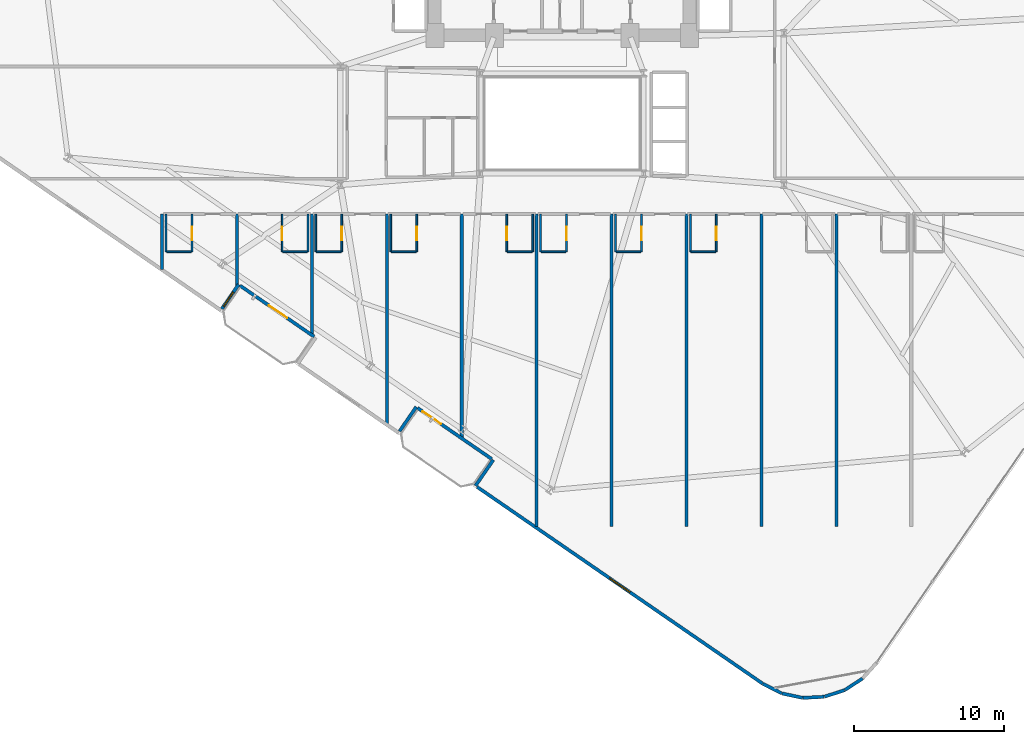
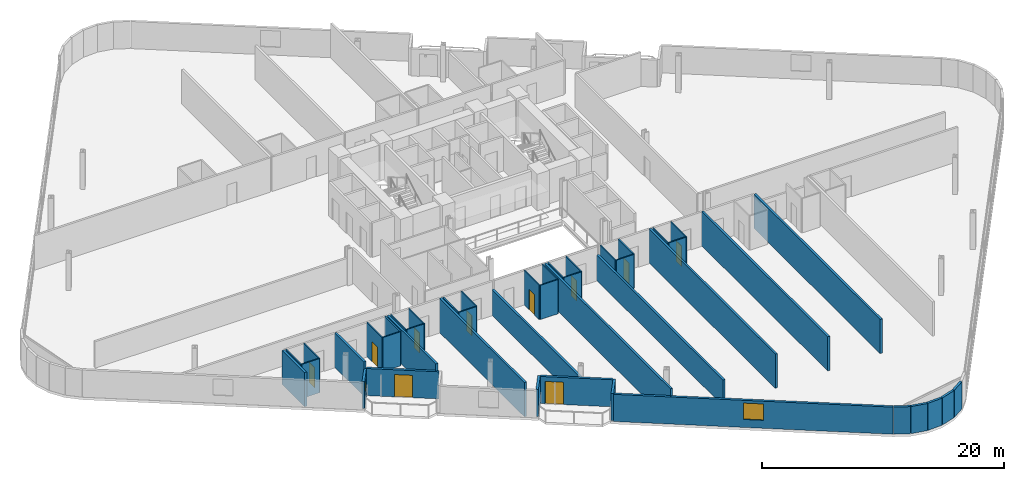
# One storey, part 19 of 27: 45 walls, 10 doors, 2 windows, 12 openings.
"""IFC4 building model written with IfcOpenShell, lengths in metres."""

from ifc_helpers import new_model, si_unit, direction, frame, frame_2d, origin, place, context, subcontext, project, spatial, rectangle, extrude, material, layer, layer_set, type_object, element, fill, save


model = new_model("IFC4")

# Units and contexts
model_context = context("Model", 3, precision=1e-05, world=origin(), true_north=direction((0.0, 1.0)))
body_context = subcontext(model_context, "Body", "Model", "MODEL_VIEW")
ifc_project = project(units=[si_unit("LENGTHUNIT", "METRE"), si_unit("AREAUNIT", "SQUARE_METRE"), si_unit("VOLUMEUNIT", "CUBIC_METRE"), si_unit("PLANEANGLEUNIT", "RADIAN"), si_unit("MASSUNIT", "GRAM", prefix="KILO")], contexts=[model_context])

# Site, building, storey
site_placement = place(None, origin())
site = spatial("IfcSite", under=ifc_project, at=site_placement, CompositionType="ELEMENT")
building_placement = place(site_placement, origin())
building = spatial("IfcBuilding", under=site, at=building_placement, Name="Varnelok Gate Tower", CompositionType="ELEMENT")
storey_placement = place(building_placement, frame((0.0, 0.0, 30.699951171875)))
storey = spatial("IfcBuildingStorey", under=building, at=storey_placement, Name="L06", CompositionType="ELEMENT", Elevation=30.699951171875)

# Wall, opening, door
ifc_material_1 = material(Name="Concrete C45/55", Category="concrete")
ifc_layer_1 = layer(ifc_material_1, 0.219970703125)
ifc_layer_set_1 = layer_set([ifc_layer_1], Name="Concrete C45/55")
wall_type_1 = type_object("IfcWallType", Name="EW-BALC-220", PredefinedType="SOLIDWALL", material=ifc_layer_set_1)
wall_1_placement = place(storey_placement, frame((22.642822265625, 8.667236328125, 0.0), z_axis=(0.0, 0.0, 1.0), x_axis=(-0.823534636215, 0.567265989598, 0.0)))
wall_1 = element("IfcWall", 1, at=wall_1_placement, inside=storey, type_object=wall_type_1, Name="L06 South Terrace Envelope Wall 1", PredefinedType="SOLIDWALL", context=body_context, shape_type="SweptSolid", body=[
    extrude(rectangle(XDim=6.0, YDim=0.219970703125, at=frame_2d((3.0, 0.0))), origin(), (0.0, 0.0, 1.0), 2.72998046875),
])
opening_1_placement = place(wall_1_placement, frame((2.176025390625, 0.0, 0.0)))
opening_1 = element("IfcOpeningElement", 2, at=opening_1_placement, cuts=wall_1, Name="Opening BD-1", PredefinedType="OPENING", context=body_context, shape_type="SweptSolid", body=[
    extrude(rectangle(XDim=1.5, YDim=2.25, at=frame_2d((0.75, 1.125))), frame((0.0, 0.119873046875, 0.0), z_axis=(0.0, -1.0, 0.0), x_axis=(1.0, 0.0, 0.0)), (0.0, 0.0, 1.0), 0.239990234375),
])
ifc_material_2 = material(Name="Anodized Aluminum Alloy 6063-T6", Category="aluminium")
door_type_1 = type_object("IfcDoorType", Name="DR-EXT-BALC1500", OperationType="NOTDEFINED", PredefinedType="DOOR", material=ifc_material_2)
door_1_placement = place(opening_1_placement, origin())
door_1 = element("IfcDoor", 3, at=door_1_placement, inside=storey, type_object=door_type_1, Name="L06 South Balcony Glazed Door 1", OperationType="SINGLE_SWING_RIGHT", OverallHeight=2.25, OverallWidth=1.5, PredefinedType="DOOR", context=body_context, shape_type="SweptSolid", body=[
    extrude(rectangle(XDim=1.5, YDim=2.25, at=frame_2d((0.75, 1.125))), frame((0.0, 0.02490234375, 0.0), z_axis=(0.0, -1.0, 0.0), x_axis=(1.0, 0.0, 0.0)), (0.0, 0.0, 1.0), 0.050048828125),
])
fill(opening_1, door_1)

wall_2_placement = place(storey_placement, frame((34.501708984375, 0.49853515625, 0.0), z_axis=(0.0, 0.0, 1.0), x_axis=(-0.823534636215, 0.567265989598, 0.0)))
wall_2 = element("IfcWall", 4, at=wall_2_placement, inside=storey, type_object=wall_type_1, Name="L06 South Terrace Envelope Wall 2", PredefinedType="SOLIDWALL", context=body_context, shape_type="SweptSolid", body=[
    extrude(rectangle(XDim=6.0, YDim=0.219970703125, at=frame_2d((3.0, 0.0))), origin(), (0.0, 0.0, 1.0), 2.72998046875),
])
opening_2_placement = place(wall_2_placement, frame((4.10009765625, 0.0, 0.0)))
opening_2 = element("IfcOpeningElement", 5, at=opening_2_placement, cuts=wall_2, Name="Opening BD-1", PredefinedType="OPENING", context=body_context, shape_type="SweptSolid", body=[
    extrude(rectangle(XDim=1.5, YDim=2.25, at=frame_2d((0.75, 1.125))), frame((0.0, 0.119873046875, 0.0), z_axis=(0.0, -1.0, 0.0), x_axis=(1.0, 0.0, 0.0)), (0.0, 0.0, 1.0), 0.239990234375),
])
door_2_placement = place(opening_2_placement, origin())
door_2 = element("IfcDoor", 6, at=door_2_placement, inside=storey, type_object=door_type_1, Name="L06 South Balcony Glazed Door 2", OperationType="SINGLE_SWING_LEFT", OverallHeight=2.25, OverallWidth=1.5, PredefinedType="DOOR", context=body_context, shape_type="SweptSolid", body=[
    extrude(rectangle(XDim=1.5, YDim=2.25, at=frame_2d((0.75, 1.125))), frame((0.0, 0.02490234375, 0.0), z_axis=(0.0, -1.0, 0.0), x_axis=(1.0, 0.0, 0.0)), (0.0, 0.0, 1.0), 0.050048828125),
])
fill(opening_2, door_2)

# Wall, opening, window
wall_3_placement = place(storey_placement, frame((16.48828125, 10.5205078125, 0.0), z_axis=(0.0, 0.0, 1.0), x_axis=(0.567131976434, 0.823626930902, 0.0)))
wall_3 = element("IfcWall", 7, at=wall_3_placement, inside=storey, type_object=wall_type_1, Name="L06 Perimeter Facade Closure Wall 8", PredefinedType="SOLIDWALL", context=body_context, shape_type="SweptSolid", body=[
    extrude(rectangle(XDim=1.97509765625, YDim=0.219970703125, at=frame_2d((0.987548828125, 0.0))), origin(), (0.0, 0.0, 1.0), 2.72998046875),
])
opening_3_placement = place(wall_3_placement, frame((0.199951171875, 0.0, 0.800048828125)))
opening_3 = element("IfcOpeningElement", 8, at=opening_3_placement, cuts=wall_3, Name="Opening WN8", PredefinedType="OPENING", context=body_context, shape_type="SweptSolid", body=[
    extrude(rectangle(XDim=1.14990234375, YDim=1.39990234375, at=frame_2d((0.574951171875, 0.699951171875))), frame((0.0, 0.119873046875, 0.0), z_axis=(0.0, -1.0, 0.0), x_axis=(1.0, 0.0, 0.0)), (0.0, 0.0, 1.0), 0.239990234375),
])
ifc_material_3 = material(Name="Low-E Laminated Double Glazing IGU", Category="glass")
window_type_1 = type_object("IfcWindowType", Name="WN-BED-1150", PartitioningType="SINGLE_PANEL", PredefinedType="WINDOW", material=ifc_material_3)
window_1_placement = place(opening_3_placement, origin())
window_1 = element("IfcWindow", 9, at=window_1_placement, inside=storey, type_object=window_type_1, Name="L06 Bedroom Vision Window 3", OverallHeight=1.39990234375, OverallWidth=1.14990234375, PartitioningType="SINGLE_PANEL", PredefinedType="WINDOW", context=body_context, shape_type="SweptSolid", body=[
    extrude(rectangle(XDim=1.14990234375, YDim=1.39990234375, at=frame_2d((0.574951171875, 0.699951171875))), frame((0.0, 0.030029296875, 0.0), z_axis=(0.0, -1.0, 0.0), x_axis=(1.0, 0.0, 0.0)), (0.0, 0.0, 1.0), 0.06005859375),
])
fill(opening_3, window_1)

# Walls
wall_4_placement = place(storey_placement, frame((28.34716796875, 2.351806640625, 0.0), z_axis=(0.0, 0.0, 1.0), x_axis=(0.567215821234, 0.823569190865, 0.0)))
element("IfcWall", 10, at=wall_4_placement, inside=storey, type_object=wall_type_1, Name="L06 Perimeter Facade Closure Wall 11", PredefinedType="SOLIDWALL", context=body_context, shape_type="SweptSolid", body=[
    extrude(rectangle(XDim=1.97509765625, YDim=0.219970703125, at=frame_2d((0.987548828125, 0.0))), origin(), (0.0, 0.0, 1.0), 2.72998046875),
])
wall_5_placement = place(storey_placement, frame((34.606201171875, 0.438720703125, 0.0), z_axis=(0.0, 0.0, 1.0), x_axis=(-0.567219383419, -0.823566737474, 0.0)))
element("IfcWall", 11, at=wall_5_placement, inside=storey, type_object=wall_type_1, Name="L06 Perimeter Facade Closure Wall 12", PredefinedType="SOLIDWALL", context=body_context, shape_type="SweptSolid", body=[
    extrude(rectangle(XDim=2.10009765625, YDim=0.219970703125, at=frame_2d((1.050048828125, 0.0))), origin(), (0.0, 0.0, 1.0), 2.72998046875),
])

# Wall, opening, window
wall_6_placement = place(storey_placement, frame((33.517822265625, -1.36181640625, 0.0), z_axis=(0.0, 0.0, 1.0), x_axis=(0.82353935489, -0.567259139148, 0.0)))
wall_6 = element("IfcWall", 12, at=wall_6_placement, inside=storey, type_object=wall_type_1, Name="L06 Perimeter Facade Closure Wall 13", PredefinedType="SOLIDWALL", context=body_context, shape_type="SweptSolid", body=[
    extrude(rectangle(XDim=23.14697265625, YDim=0.219970703125, at=frame_2d((11.573486328125, 0.0))), origin(), (0.0, 0.0, 1.0), 2.72998046875),
])
opening_4_placement = place(wall_6_placement, frame((10.74853515625, 0.0, 0.800048828125)))
opening_4 = element("IfcOpeningElement", 13, at=opening_4_placement, cuts=wall_6, Name="Opening WN3", PredefinedType="OPENING", context=body_context, shape_type="SweptSolid", body=[
    extrude(rectangle(XDim=1.64990234375, YDim=1.64990234375, at=frame_2d((0.824951171875, 0.824951171875))), frame((0.0, 0.119873046875, 0.0), z_axis=(0.0, -1.0, 0.0), x_axis=(1.0, 0.0, 0.0)), (0.0, 0.0, 1.0), 0.239990234375),
])
window_type_2 = type_object("IfcWindowType", Name="WN-HTL-1650", PartitioningType="SINGLE_PANEL", PredefinedType="WINDOW", material=ifc_material_3)
window_2_placement = place(opening_4_placement, origin())
window_2 = element("IfcWindow", 14, at=window_2_placement, inside=storey, type_object=window_type_2, Name="L06 Perimeter Vision Window 13", OverallHeight=1.64990234375, OverallWidth=1.64990234375, PartitioningType="SINGLE_PANEL", PredefinedType="WINDOW", context=body_context, shape_type="SweptSolid", body=[
    extrude(rectangle(XDim=1.64990234375, YDim=1.64990234375, at=frame_2d((0.824951171875, 0.824951171875))), frame((0.0, 0.030029296875, 0.0), z_axis=(0.0, -1.0, 0.0), x_axis=(1.0, 0.0, 0.0)), (0.0, 0.0, 1.0), 0.06005859375),
])
fill(opening_4, window_2)

# Walls
wall_7_placement = place(storey_placement, frame((52.602783203125, -14.503662109375, 0.0), z_axis=(0.0, 0.0, 1.0), x_axis=(0.89052335693, -0.45493752402, 0.0)))
element("IfcWall", 15, at=wall_7_placement, inside=storey, type_object=wall_type_1, Name="L06 Perimeter Facade Closure Wall 14", PredefinedType="SOLIDWALL", context=body_context, shape_type="SweptSolid", body=[
    extrude(rectangle(XDim=1.4130859375, YDim=0.219970703125, at=frame_2d((0.70654296875, 0.0))), origin(), (0.0, 0.0, 1.0), 2.72998046875),
])
for number, where, z_axis, x_axis, name in (
    (16, (53.8857421875, -15.15185546875, 0.0), (0.0, 0.0, 1.0), (0.977952168511, -0.208829011645, 0.0), "L06 Perimeter Facade Closure Wall 15"),
    (17, (55.284912109375, -15.444091796875, 0.0), (0.0, 0.0, 1.0), (0.998685611917, 0.051254741739, 0.0), "L06 Perimeter Facade Closure Wall 16"),
    (18, (56.712158203125, -15.364501953125, 0.0), (0.0, 0.0, 1.0), (0.95132472924, 0.308190297603, 0.0), "L06 Perimeter Facade Closure Wall 17"),
    (19, (58.070068359375, -14.91796875, 0.0), (0.0, 0.0, 1.0), (0.839248413468, 0.543748195851, 0.0), "L06 Perimeter Facade Closure Wall 18"),
):
    element("IfcWall", number, at=place(storey_placement, frame(where, z_axis=z_axis, x_axis=x_axis)), inside=storey, type_object=wall_type_1, Name=name, PredefinedType="SOLIDWALL", context=body_context, shape_type="SweptSolid", body=[
        extrude(rectangle(XDim=1.4052734375, YDim=0.219970703125, at=frame_2d((0.70263671875, 0.0))), origin(), (0.0, 0.0, 1.0), 2.72998046875),
    ])
ifc_material_4 = material(Name="Gypsum Plasterboard Acoustic Partition", Category="gypsum")
ifc_layer_2 = layer(ifc_material_4, 0.114990234375)
ifc_layer_set_2 = layer_set([ifc_layer_2], Name="Gypsum Plasterboard Acoustic Partition")
wall_type_2 = type_object("IfcWallType", Name="PW-ENS-125", PredefinedType="PARTITIONING", material=ifc_layer_set_2)
wall_8_placement = place(storey_placement, frame((12.800048828125, 14.330078125, 0.0), z_axis=(0.0, 0.0, 1.0), x_axis=(1.0, 0.0, 0.0)))
element("IfcWall", 20, at=wall_8_placement, inside=storey, type_object=wall_type_2, Name="Interior Partition", PredefinedType="PARTITIONING", context=body_context, shape_type="SweptSolid", body=[
    extrude(rectangle(XDim=1.64990234375, YDim=0.114990234375, at=frame_2d((0.824951171875, 0.0))), origin(), (0.0, 0.0, 1.0), 3.449951171875),
])

# Wall, opening, door
wall_9_placement = place(storey_placement, frame((14.489990234375, 14.330078125, 0.0), z_axis=(0.0, 0.0, 1.0), x_axis=(0.0, 1.0, 0.0)))
wall_9 = element("IfcWall", 21, at=wall_9_placement, inside=storey, type_object=wall_type_2, Name="Interior Partition", PredefinedType="PARTITIONING", context=body_context, shape_type="SweptSolid", body=[
    extrude(rectangle(XDim=2.52001953125, YDim=0.114990234375, at=frame_2d((1.260009765625, 0.0))), origin(), (0.0, 0.0, 1.0), 3.449951171875),
])
opening_5_placement = place(wall_9_placement, frame((0.760009765625, 0.0, 0.0)))
opening_5 = element("IfcOpeningElement", 22, at=opening_5_placement, cuts=wall_9, Name="Opening D-WC", PredefinedType="OPENING", context=body_context, shape_type="SweptSolid", body=[
    extrude(rectangle(XDim=0.89990234375, YDim=2.050048828125, at=frame_2d((0.449951171875, 1.02490234375))), frame((0.0, 0.0673828125, 0.0), z_axis=(0.0, -1.0, 0.0), x_axis=(1.0, 0.0, 0.0)), (0.0, 0.0, 1.0), 0.135009765625),
])
ifc_material_5 = material(Name="Engineered Hardwood Timber", Category="wood")
door_type_2 = type_object("IfcDoorType", Name="DR-BATH-900", OperationType="NOTDEFINED", PredefinedType="DOOR", material=ifc_material_5)
door_3_placement = place(opening_5_placement, origin())
door_3 = element("IfcDoor", 23, at=door_3_placement, inside=storey, type_object=door_type_2, Name="L06 Guest En-Suite 02 Door", OperationType="SINGLE_SWING_LEFT", OverallHeight=2.050048828125, OverallWidth=0.89990234375, PredefinedType="DOOR", context=body_context, shape_type="SweptSolid", body=[
    extrude(rectangle(XDim=0.89990234375, YDim=2.050048828125, at=frame_2d((0.449951171875, 1.02490234375))), frame((0.0, 0.02490234375, 0.0), z_axis=(0.0, -1.0, 0.0), x_axis=(1.0, 0.0, 0.0)), (0.0, 0.0, 1.0), 0.050048828125),
])
fill(opening_5, door_3)

# Walls
wall_10_placement = place(storey_placement, frame((12.760009765625, 14.330078125, 0.0), z_axis=(0.0, 0.0, 1.0), x_axis=(0.0, 1.0, 0.0)))
element("IfcWall", 24, at=wall_10_placement, inside=storey, type_object=wall_type_2, Name="Interior Partition", PredefinedType="PARTITIONING", context=body_context, shape_type="SweptSolid", body=[
    extrude(rectangle(XDim=2.52001953125, YDim=0.114990234375, at=frame_2d((1.260009765625, 0.0))), origin(), (0.0, 0.0, 1.0), 3.449951171875),
])
wall_11_placement = place(storey_placement, frame((20.550048828125, 14.330078125, 0.0), z_axis=(0.0, 0.0, 1.0), x_axis=(1.0, 0.0, 0.0)))
element("IfcWall", 25, at=wall_11_placement, inside=storey, type_object=wall_type_2, Name="Interior Partition", PredefinedType="PARTITIONING", context=body_context, shape_type="SweptSolid", body=[
    extrude(rectangle(XDim=1.64990234375, YDim=0.114990234375, at=frame_2d((0.824951171875, 0.0))), origin(), (0.0, 0.0, 1.0), 3.449951171875),
])

# Wall, opening, door
wall_12_placement = place(storey_placement, frame((20.510009765625, 14.330078125, 0.0), z_axis=(0.0, 0.0, 1.0), x_axis=(0.0, 1.0, 0.0)))
wall_12 = element("IfcWall", 26, at=wall_12_placement, inside=storey, type_object=wall_type_2, Name="Interior Partition", PredefinedType="PARTITIONING", context=body_context, shape_type="SweptSolid", body=[
    extrude(rectangle(XDim=2.52001953125, YDim=0.114990234375, at=frame_2d((1.260009765625, 0.0))), origin(), (0.0, 0.0, 1.0), 3.449951171875),
])
opening_6_placement = place(wall_12_placement, frame((0.760009765625, 0.0, 0.0)))
opening_6 = element("IfcOpeningElement", 27, at=opening_6_placement, cuts=wall_12, Name="Opening D-WC", PredefinedType="OPENING", context=body_context, shape_type="SweptSolid", body=[
    extrude(rectangle(XDim=0.89990234375, YDim=2.050048828125, at=frame_2d((0.449951171875, 1.02490234375))), frame((0.0, 0.0673828125, 0.0), z_axis=(0.0, -1.0, 0.0), x_axis=(1.0, 0.0, 0.0)), (0.0, 0.0, 1.0), 0.135009765625),
])
door_4_placement = place(opening_6_placement, origin())
door_4 = element("IfcDoor", 28, at=door_4_placement, inside=storey, type_object=door_type_2, Name="L06 Guest En-Suite 03 Door", OperationType="SINGLE_SWING_RIGHT", OverallHeight=2.050048828125, OverallWidth=0.89990234375, PredefinedType="DOOR", context=body_context, shape_type="SweptSolid", body=[
    extrude(rectangle(XDim=0.89990234375, YDim=2.050048828125, at=frame_2d((0.449951171875, 1.02490234375))), frame((0.0, 0.02490234375, 0.0), z_axis=(0.0, -1.0, 0.0), x_axis=(1.0, 0.0, 0.0)), (0.0, 0.0, 1.0), 0.050048828125),
])
fill(opening_6, door_4)

# Walls
wall_13_placement = place(storey_placement, frame((22.239990234375, 14.330078125, 0.0), z_axis=(0.0, 0.0, 1.0), x_axis=(0.0, 1.0, 0.0)))
element("IfcWall", 29, at=wall_13_placement, inside=storey, type_object=wall_type_2, Name="Interior Partition", PredefinedType="PARTITIONING", context=body_context, shape_type="SweptSolid", body=[
    extrude(rectangle(XDim=2.52001953125, YDim=0.114990234375, at=frame_2d((1.260009765625, 0.0))), origin(), (0.0, 0.0, 1.0), 3.449951171875),
])
wall_14_placement = place(storey_placement, frame((22.800048828125, 14.330078125, 0.0), z_axis=(0.0, 0.0, 1.0), x_axis=(1.0, 0.0, 0.0)))
element("IfcWall", 30, at=wall_14_placement, inside=storey, type_object=wall_type_2, Name="Interior Partition", PredefinedType="PARTITIONING", context=body_context, shape_type="SweptSolid", body=[
    extrude(rectangle(XDim=1.64990234375, YDim=0.114990234375, at=frame_2d((0.824951171875, 0.0))), origin(), (0.0, 0.0, 1.0), 3.449951171875),
])

# Wall, opening, door
wall_15_placement = place(storey_placement, frame((24.489990234375, 14.330078125, 0.0), z_axis=(0.0, 0.0, 1.0), x_axis=(0.0, 1.0, 0.0)))
wall_15 = element("IfcWall", 31, at=wall_15_placement, inside=storey, type_object=wall_type_2, Name="Interior Partition", PredefinedType="PARTITIONING", context=body_context, shape_type="SweptSolid", body=[
    extrude(rectangle(XDim=2.52001953125, YDim=0.114990234375, at=frame_2d((1.260009765625, 0.0))), origin(), (0.0, 0.0, 1.0), 3.449951171875),
])
opening_7_placement = place(wall_15_placement, frame((0.760009765625, 0.0, 0.0)))
opening_7 = element("IfcOpeningElement", 32, at=opening_7_placement, cuts=wall_15, Name="Opening D-WC", PredefinedType="OPENING", context=body_context, shape_type="SweptSolid", body=[
    extrude(rectangle(XDim=0.89990234375, YDim=2.050048828125, at=frame_2d((0.449951171875, 1.02490234375))), frame((0.0, 0.0673828125, 0.0), z_axis=(0.0, -1.0, 0.0), x_axis=(1.0, 0.0, 0.0)), (0.0, 0.0, 1.0), 0.135009765625),
])
door_5_placement = place(opening_7_placement, origin())
door_5 = element("IfcDoor", 33, at=door_5_placement, inside=storey, type_object=door_type_2, Name="L06 Guest En-Suite 04 Door", OperationType="SINGLE_SWING_LEFT", OverallHeight=2.050048828125, OverallWidth=0.89990234375, PredefinedType="DOOR", context=body_context, shape_type="SweptSolid", body=[
    extrude(rectangle(XDim=0.89990234375, YDim=2.050048828125, at=frame_2d((0.449951171875, 1.02490234375))), frame((0.0, 0.02490234375, 0.0), z_axis=(0.0, -1.0, 0.0), x_axis=(1.0, 0.0, 0.0)), (0.0, 0.0, 1.0), 0.050048828125),
])
fill(opening_7, door_5)

# Walls
wall_16_placement = place(storey_placement, frame((22.760009765625, 14.330078125, 0.0), z_axis=(0.0, 0.0, 1.0), x_axis=(0.0, 1.0, 0.0)))
element("IfcWall", 34, at=wall_16_placement, inside=storey, type_object=wall_type_2, Name="Interior Partition", PredefinedType="PARTITIONING", context=body_context, shape_type="SweptSolid", body=[
    extrude(rectangle(XDim=2.52001953125, YDim=0.114990234375, at=frame_2d((1.260009765625, 0.0))), origin(), (0.0, 0.0, 1.0), 3.449951171875),
])
wall_17_placement = place(storey_placement, frame((27.800048828125, 14.330078125, 0.0), z_axis=(0.0, 0.0, 1.0), x_axis=(1.0, 0.0, 0.0)))
element("IfcWall", 35, at=wall_17_placement, inside=storey, type_object=wall_type_2, Name="Interior Partition", PredefinedType="PARTITIONING", context=body_context, shape_type="SweptSolid", body=[
    extrude(rectangle(XDim=1.64990234375, YDim=0.114990234375, at=frame_2d((0.824951171875, 0.0))), origin(), (0.0, 0.0, 1.0), 3.449951171875),
])

# Wall, opening, door
wall_18_placement = place(storey_placement, frame((29.489990234375, 14.330078125, 0.0), z_axis=(0.0, 0.0, 1.0), x_axis=(0.0, 1.0, 0.0)))
wall_18 = element("IfcWall", 36, at=wall_18_placement, inside=storey, type_object=wall_type_2, Name="Interior Partition", PredefinedType="PARTITIONING", context=body_context, shape_type="SweptSolid", body=[
    extrude(rectangle(XDim=2.52001953125, YDim=0.114990234375, at=frame_2d((1.260009765625, 0.0))), origin(), (0.0, 0.0, 1.0), 3.449951171875),
])
opening_8_placement = place(wall_18_placement, frame((0.760009765625, 0.0, 0.0)))
opening_8 = element("IfcOpeningElement", 37, at=opening_8_placement, cuts=wall_18, Name="Opening D-WC", PredefinedType="OPENING", context=body_context, shape_type="SweptSolid", body=[
    extrude(rectangle(XDim=0.89990234375, YDim=2.050048828125, at=frame_2d((0.449951171875, 1.02490234375))), frame((0.0, 0.0673828125, 0.0), z_axis=(0.0, -1.0, 0.0), x_axis=(1.0, 0.0, 0.0)), (0.0, 0.0, 1.0), 0.135009765625),
])
door_6_placement = place(opening_8_placement, origin())
door_6 = element("IfcDoor", 38, at=door_6_placement, inside=storey, type_object=door_type_2, Name="L06 Guest En-Suite 05 Door", OperationType="SINGLE_SWING_LEFT", OverallHeight=2.050048828125, OverallWidth=0.89990234375, PredefinedType="DOOR", context=body_context, shape_type="SweptSolid", body=[
    extrude(rectangle(XDim=0.89990234375, YDim=2.050048828125, at=frame_2d((0.449951171875, 1.02490234375))), frame((0.0, 0.02490234375, 0.0), z_axis=(0.0, -1.0, 0.0), x_axis=(1.0, 0.0, 0.0)), (0.0, 0.0, 1.0), 0.050048828125),
])
fill(opening_8, door_6)

# Walls
wall_19_placement = place(storey_placement, frame((27.760009765625, 14.330078125, 0.0), z_axis=(0.0, 0.0, 1.0), x_axis=(0.0, 1.0, 0.0)))
element("IfcWall", 39, at=wall_19_placement, inside=storey, type_object=wall_type_2, Name="Interior Partition", PredefinedType="PARTITIONING", context=body_context, shape_type="SweptSolid", body=[
    extrude(rectangle(XDim=2.52001953125, YDim=0.114990234375, at=frame_2d((1.260009765625, 0.0))), origin(), (0.0, 0.0, 1.0), 3.449951171875),
])
wall_20_placement = place(storey_placement, frame((35.550048828125, 14.330078125, 0.0), z_axis=(0.0, 0.0, 1.0), x_axis=(1.0, 0.0, 0.0)))
element("IfcWall", 40, at=wall_20_placement, inside=storey, type_object=wall_type_2, Name="Interior Partition", PredefinedType="PARTITIONING", context=body_context, shape_type="SweptSolid", body=[
    extrude(rectangle(XDim=1.64990234375, YDim=0.114990234375, at=frame_2d((0.824951171875, 0.0))), origin(), (0.0, 0.0, 1.0), 3.449951171875),
])

# Wall, opening, door
wall_21_placement = place(storey_placement, frame((35.510009765625, 14.330078125, 0.0), z_axis=(0.0, 0.0, 1.0), x_axis=(0.0, 1.0, 0.0)))
wall_21 = element("IfcWall", 41, at=wall_21_placement, inside=storey, type_object=wall_type_2, Name="Interior Partition", PredefinedType="PARTITIONING", context=body_context, shape_type="SweptSolid", body=[
    extrude(rectangle(XDim=2.52001953125, YDim=0.114990234375, at=frame_2d((1.260009765625, 0.0))), origin(), (0.0, 0.0, 1.0), 3.449951171875),
])
opening_9_placement = place(wall_21_placement, frame((0.760009765625, 0.0, 0.0)))
opening_9 = element("IfcOpeningElement", 42, at=opening_9_placement, cuts=wall_21, Name="Opening D-WC", PredefinedType="OPENING", context=body_context, shape_type="SweptSolid", body=[
    extrude(rectangle(XDim=0.89990234375, YDim=2.050048828125, at=frame_2d((0.449951171875, 1.02490234375))), frame((0.0, 0.0673828125, 0.0), z_axis=(0.0, -1.0, 0.0), x_axis=(1.0, 0.0, 0.0)), (0.0, 0.0, 1.0), 0.135009765625),
])
door_7_placement = place(opening_9_placement, origin())
door_7 = element("IfcDoor", 43, at=door_7_placement, inside=storey, type_object=door_type_2, Name="L06 Guest En-Suite 06 Door", OperationType="SINGLE_SWING_RIGHT", OverallHeight=2.050048828125, OverallWidth=0.89990234375, PredefinedType="DOOR", context=body_context, shape_type="SweptSolid", body=[
    extrude(rectangle(XDim=0.89990234375, YDim=2.050048828125, at=frame_2d((0.449951171875, 1.02490234375))), frame((0.0, 0.02490234375, 0.0), z_axis=(0.0, -1.0, 0.0), x_axis=(1.0, 0.0, 0.0)), (0.0, 0.0, 1.0), 0.050048828125),
])
fill(opening_9, door_7)

# Walls
wall_22_placement = place(storey_placement, frame((37.239990234375, 14.330078125, 0.0), z_axis=(0.0, 0.0, 1.0), x_axis=(0.0, 1.0, 0.0)))
element("IfcWall", 44, at=wall_22_placement, inside=storey, type_object=wall_type_2, Name="Interior Partition", PredefinedType="PARTITIONING", context=body_context, shape_type="SweptSolid", body=[
    extrude(rectangle(XDim=2.52001953125, YDim=0.114990234375, at=frame_2d((1.260009765625, 0.0))), origin(), (0.0, 0.0, 1.0), 3.449951171875),
])
wall_23_placement = place(storey_placement, frame((37.800048828125, 14.330078125, 0.0), z_axis=(0.0, 0.0, 1.0), x_axis=(1.0, 0.0, 0.0)))
element("IfcWall", 45, at=wall_23_placement, inside=storey, type_object=wall_type_2, Name="Interior Partition", PredefinedType="PARTITIONING", context=body_context, shape_type="SweptSolid", body=[
    extrude(rectangle(XDim=1.64990234375, YDim=0.114990234375, at=frame_2d((0.824951171875, 0.0))), origin(), (0.0, 0.0, 1.0), 3.449951171875),
])

# Wall, opening, door
wall_24_placement = place(storey_placement, frame((39.489990234375, 14.330078125, 0.0), z_axis=(0.0, 0.0, 1.0), x_axis=(0.0, 1.0, 0.0)))
wall_24 = element("IfcWall", 46, at=wall_24_placement, inside=storey, type_object=wall_type_2, Name="Interior Partition", PredefinedType="PARTITIONING", context=body_context, shape_type="SweptSolid", body=[
    extrude(rectangle(XDim=2.52001953125, YDim=0.114990234375, at=frame_2d((1.260009765625, 0.0))), origin(), (0.0, 0.0, 1.0), 3.449951171875),
])
opening_10_placement = place(wall_24_placement, frame((0.760009765625, 0.0, 0.0)))
opening_10 = element("IfcOpeningElement", 47, at=opening_10_placement, cuts=wall_24, Name="Opening D-WC", PredefinedType="OPENING", context=body_context, shape_type="SweptSolid", body=[
    extrude(rectangle(XDim=0.89990234375, YDim=2.050048828125, at=frame_2d((0.449951171875, 1.02490234375))), frame((0.0, 0.0673828125, 0.0), z_axis=(0.0, -1.0, 0.0), x_axis=(1.0, 0.0, 0.0)), (0.0, 0.0, 1.0), 0.135009765625),
])
door_8_placement = place(opening_10_placement, origin())
door_8 = element("IfcDoor", 48, at=door_8_placement, inside=storey, type_object=door_type_2, Name="L06 Guest En-Suite 07 Door", OperationType="SINGLE_SWING_LEFT", OverallHeight=2.050048828125, OverallWidth=0.89990234375, PredefinedType="DOOR", context=body_context, shape_type="SweptSolid", body=[
    extrude(rectangle(XDim=0.89990234375, YDim=2.050048828125, at=frame_2d((0.449951171875, 1.02490234375))), frame((0.0, 0.02490234375, 0.0), z_axis=(0.0, -1.0, 0.0), x_axis=(1.0, 0.0, 0.0)), (0.0, 0.0, 1.0), 0.050048828125),
])
fill(opening_10, door_8)

# Walls
wall_25_placement = place(storey_placement, frame((37.760009765625, 14.330078125, 0.0), z_axis=(0.0, 0.0, 1.0), x_axis=(0.0, 1.0, 0.0)))
element("IfcWall", 49, at=wall_25_placement, inside=storey, type_object=wall_type_2, Name="Interior Partition", PredefinedType="PARTITIONING", context=body_context, shape_type="SweptSolid", body=[
    extrude(rectangle(XDim=2.52001953125, YDim=0.114990234375, at=frame_2d((1.260009765625, 0.0))), origin(), (0.0, 0.0, 1.0), 3.449951171875),
])
wall_26_placement = place(storey_placement, frame((42.800048828125, 14.330078125, 0.0), z_axis=(0.0, 0.0, 1.0), x_axis=(1.0, 0.0, 0.0)))
element("IfcWall", 50, at=wall_26_placement, inside=storey, type_object=wall_type_2, Name="Interior Partition", PredefinedType="PARTITIONING", context=body_context, shape_type="SweptSolid", body=[
    extrude(rectangle(XDim=1.64990234375, YDim=0.114990234375, at=frame_2d((0.824951171875, 0.0))), origin(), (0.0, 0.0, 1.0), 3.449951171875),
])

# Wall, opening, door
wall_27_placement = place(storey_placement, frame((44.489990234375, 14.330078125, 0.0), z_axis=(0.0, 0.0, 1.0), x_axis=(0.0, 1.0, 0.0)))
wall_27 = element("IfcWall", 51, at=wall_27_placement, inside=storey, type_object=wall_type_2, Name="Interior Partition", PredefinedType="PARTITIONING", context=body_context, shape_type="SweptSolid", body=[
    extrude(rectangle(XDim=2.52001953125, YDim=0.114990234375, at=frame_2d((1.260009765625, 0.0))), origin(), (0.0, 0.0, 1.0), 3.449951171875),
])
opening_11_placement = place(wall_27_placement, frame((0.760009765625, 0.0, 0.0)))
opening_11 = element("IfcOpeningElement", 52, at=opening_11_placement, cuts=wall_27, Name="Opening D-WC", PredefinedType="OPENING", context=body_context, shape_type="SweptSolid", body=[
    extrude(rectangle(XDim=0.89990234375, YDim=2.050048828125, at=frame_2d((0.449951171875, 1.02490234375))), frame((0.0, 0.0673828125, 0.0), z_axis=(0.0, -1.0, 0.0), x_axis=(1.0, 0.0, 0.0)), (0.0, 0.0, 1.0), 0.135009765625),
])
door_9_placement = place(opening_11_placement, origin())
door_9 = element("IfcDoor", 53, at=door_9_placement, inside=storey, type_object=door_type_2, Name="L06 Guest En-Suite 08 Door", OperationType="SINGLE_SWING_LEFT", OverallHeight=2.050048828125, OverallWidth=0.89990234375, PredefinedType="DOOR", context=body_context, shape_type="SweptSolid", body=[
    extrude(rectangle(XDim=0.89990234375, YDim=2.050048828125, at=frame_2d((0.449951171875, 1.02490234375))), frame((0.0, 0.02490234375, 0.0), z_axis=(0.0, -1.0, 0.0), x_axis=(1.0, 0.0, 0.0)), (0.0, 0.0, 1.0), 0.050048828125),
])
fill(opening_11, door_9)

# Walls
wall_28_placement = place(storey_placement, frame((42.760009765625, 14.330078125, 0.0), z_axis=(0.0, 0.0, 1.0), x_axis=(0.0, 1.0, 0.0)))
element("IfcWall", 54, at=wall_28_placement, inside=storey, type_object=wall_type_2, Name="Interior Partition", PredefinedType="PARTITIONING", context=body_context, shape_type="SweptSolid", body=[
    extrude(rectangle(XDim=2.52001953125, YDim=0.114990234375, at=frame_2d((1.260009765625, 0.0))), origin(), (0.0, 0.0, 1.0), 3.449951171875),
])
wall_29_placement = place(storey_placement, frame((47.800048828125, 14.330078125, 0.0), z_axis=(0.0, 0.0, 1.0), x_axis=(1.0, 0.0, 0.0)))
element("IfcWall", 55, at=wall_29_placement, inside=storey, type_object=wall_type_2, Name="Interior Partition", PredefinedType="PARTITIONING", context=body_context, shape_type="SweptSolid", body=[
    extrude(rectangle(XDim=1.64990234375, YDim=0.114990234375, at=frame_2d((0.824951171875, 0.0))), origin(), (0.0, 0.0, 1.0), 3.449951171875),
])

# Wall, opening, door
wall_30_placement = place(storey_placement, frame((49.489990234375, 14.330078125, 0.0), z_axis=(0.0, 0.0, 1.0), x_axis=(0.0, 1.0, 0.0)))
wall_30 = element("IfcWall", 56, at=wall_30_placement, inside=storey, type_object=wall_type_2, Name="Interior Partition", PredefinedType="PARTITIONING", context=body_context, shape_type="SweptSolid", body=[
    extrude(rectangle(XDim=2.52001953125, YDim=0.114990234375, at=frame_2d((1.260009765625, 0.0))), origin(), (0.0, 0.0, 1.0), 3.449951171875),
])
opening_12_placement = place(wall_30_placement, frame((0.760009765625, 0.0, 0.0)))
opening_12 = element("IfcOpeningElement", 57, at=opening_12_placement, cuts=wall_30, Name="Opening D-WC", PredefinedType="OPENING", context=body_context, shape_type="SweptSolid", body=[
    extrude(rectangle(XDim=0.89990234375, YDim=2.050048828125, at=frame_2d((0.449951171875, 1.02490234375))), frame((0.0, 0.0673828125, 0.0), z_axis=(0.0, -1.0, 0.0), x_axis=(1.0, 0.0, 0.0)), (0.0, 0.0, 1.0), 0.135009765625),
])
door_10_placement = place(opening_12_placement, origin())
door_10 = element("IfcDoor", 58, at=door_10_placement, inside=storey, type_object=door_type_2, Name="L06 Guest En-Suite 09 Door", OperationType="SINGLE_SWING_LEFT", OverallHeight=2.050048828125, OverallWidth=0.89990234375, PredefinedType="DOOR", context=body_context, shape_type="SweptSolid", body=[
    extrude(rectangle(XDim=0.89990234375, YDim=2.050048828125, at=frame_2d((0.449951171875, 1.02490234375))), frame((0.0, 0.02490234375, 0.0), z_axis=(0.0, -1.0, 0.0), x_axis=(1.0, 0.0, 0.0)), (0.0, 0.0, 1.0), 0.050048828125),
])
fill(opening_12, door_10)

# Walls
wall_31_placement = place(storey_placement, frame((47.760009765625, 14.330078125, 0.0), z_axis=(0.0, 0.0, 1.0), x_axis=(0.0, 1.0, 0.0)))
element("IfcWall", 59, at=wall_31_placement, inside=storey, type_object=wall_type_2, Name="Interior Partition", PredefinedType="PARTITIONING", context=body_context, shape_type="SweptSolid", body=[
    extrude(rectangle(XDim=2.52001953125, YDim=0.114990234375, at=frame_2d((1.260009765625, 0.0))), origin(), (0.0, 0.0, 1.0), 3.449951171875),
])
ifc_layer_3 = layer(ifc_material_4, 0.205078125)
ifc_layer_set_3 = layer_set([ifc_layer_3], Name="Gypsum Plasterboard Acoustic Partition")
wall_type_3 = type_object("IfcWallType", Name="PW-PARTY-200", PredefinedType="PARTITIONING", material=ifc_layer_set_3)
wall_32_placement = place(storey_placement, frame((12.5, 13.140380859375, 0.0), z_axis=(0.0, 0.0, 1.0), x_axis=(0.0, 1.0, 0.0)))
element("IfcWall", 60, at=wall_32_placement, inside=storey, type_object=wall_type_3, Name="L06 South Party Wall 1", PredefinedType="PARTITIONING", context=body_context, shape_type="SweptSolid", body=[
    extrude(rectangle(XDim=3.709716796875, YDim=0.205078125, at=frame_2d((1.85498046875, 0.0))), origin(), (0.0, 0.0, 1.0), 3.449951171875),
])
wall_33_placement = place(storey_placement, frame((17.5, 12.02490234375, 0.0), z_axis=(0.0, 0.0, 1.0), x_axis=(0.0, 1.0, 0.0)))
element("IfcWall", 61, at=wall_33_placement, inside=storey, type_object=wall_type_3, Name="L06 South Party Wall 2", PredefinedType="PARTITIONING", context=body_context, shape_type="SweptSolid", body=[
    extrude(rectangle(XDim=4.8251953125, YDim=0.205078125, at=frame_2d((2.41259765625, 0.0))), origin(), (0.0, 0.0, 1.0), 3.449951171875),
])
wall_34_placement = place(storey_placement, frame((22.5, 8.802001953125, 0.0), z_axis=(0.0, 0.0, 1.0), x_axis=(0.0, 1.0, 0.0)))
element("IfcWall", 62, at=wall_34_placement, inside=storey, type_object=wall_type_3, Name="L06 South Party Wall 3", PredefinedType="PARTITIONING", context=body_context, shape_type="SweptSolid", body=[
    extrude(rectangle(XDim=8.048095703125, YDim=0.205078125, at=frame_2d((4.02392578125, 0.0))), origin(), (0.0, 0.0, 1.0), 3.449951171875),
])
wall_35_placement = place(storey_placement, frame((27.5, 2.807861328125, 0.0), z_axis=(0.0, 0.0, 1.0), x_axis=(0.0, 1.0, 0.0)))
element("IfcWall", 63, at=wall_35_placement, inside=storey, type_object=wall_type_3, Name="L06 South Party Wall 4", PredefinedType="PARTITIONING", context=body_context, shape_type="SweptSolid", body=[
    extrude(rectangle(XDim=14.042236328125, YDim=0.205078125, at=frame_2d((7.02099609375, 0.0))), origin(), (0.0, 0.0, 1.0), 3.449951171875),
])
wall_36_placement = place(storey_placement, frame((32.5, 1.913818359375, 0.0), z_axis=(0.0, 0.0, 1.0), x_axis=(0.0, 1.0, 0.0)))
element("IfcWall", 64, at=wall_36_placement, inside=storey, type_object=wall_type_3, Name="L06 South Party Wall 5", PredefinedType="PARTITIONING", context=body_context, shape_type="SweptSolid", body=[
    extrude(rectangle(XDim=14.936279296875, YDim=0.205078125, at=frame_2d((7.46826171875, 0.0))), origin(), (0.0, 0.0, 1.0), 2.580078125),
])
wall_37_placement = place(storey_placement, frame((37.5, -4.0, 0.0), z_axis=(0.0, 0.0, 1.0), x_axis=(0.0, 1.0, 0.0)))
element("IfcWall", 65, at=wall_37_placement, inside=storey, type_object=wall_type_3, Name="L06 South Party Wall 6", PredefinedType="PARTITIONING", context=body_context, shape_type="SweptSolid", body=[
    extrude(rectangle(XDim=20.85009765625, YDim=0.205078125, at=frame_2d((10.425048828125, 0.0))), origin(), (0.0, 0.0, 1.0), 3.449951171875),
])
wall_38_placement = place(storey_placement, frame((42.5, -4.0, 0.0), z_axis=(0.0, 0.0, 1.0), x_axis=(0.0, 1.0, 0.0)))
element("IfcWall", 66, at=wall_38_placement, inside=storey, type_object=wall_type_3, Name="L06 South Party Wall 7", PredefinedType="PARTITIONING", context=body_context, shape_type="SweptSolid", body=[
    extrude(rectangle(XDim=20.85009765625, YDim=0.205078125, at=frame_2d((10.425048828125, 0.0))), origin(), (0.0, 0.0, 1.0), 2.580078125),
])
for number, where, z_axis, x_axis, name in (
    (67, (47.5, -4.0, 0.0), (0.0, 0.0, 1.0), (0.0, 1.0, 0.0), "L06 South Party Wall 8"),
    (68, (52.5, -4.0, 0.0), (0.0, 0.0, 1.0), (0.0, 1.0, 0.0), "L06 South Party Wall 9"),
    (69, (57.5, -4.0, 0.0), (0.0, 0.0, 1.0), (0.0, 1.0, 0.0), "L06 South Party Wall 10"),
):
    element("IfcWall", number, at=place(storey_placement, frame(where, z_axis=z_axis, x_axis=x_axis)), inside=storey, type_object=wall_type_3, Name=name, PredefinedType="PARTITIONING", context=body_context, shape_type="SweptSolid", body=[
        extrude(rectangle(XDim=20.85009765625, YDim=0.205078125, at=frame_2d((10.425048828125, 0.0))), origin(), (0.0, 0.0, 1.0), 3.449951171875),
    ])

save(model, "model.ifc")
